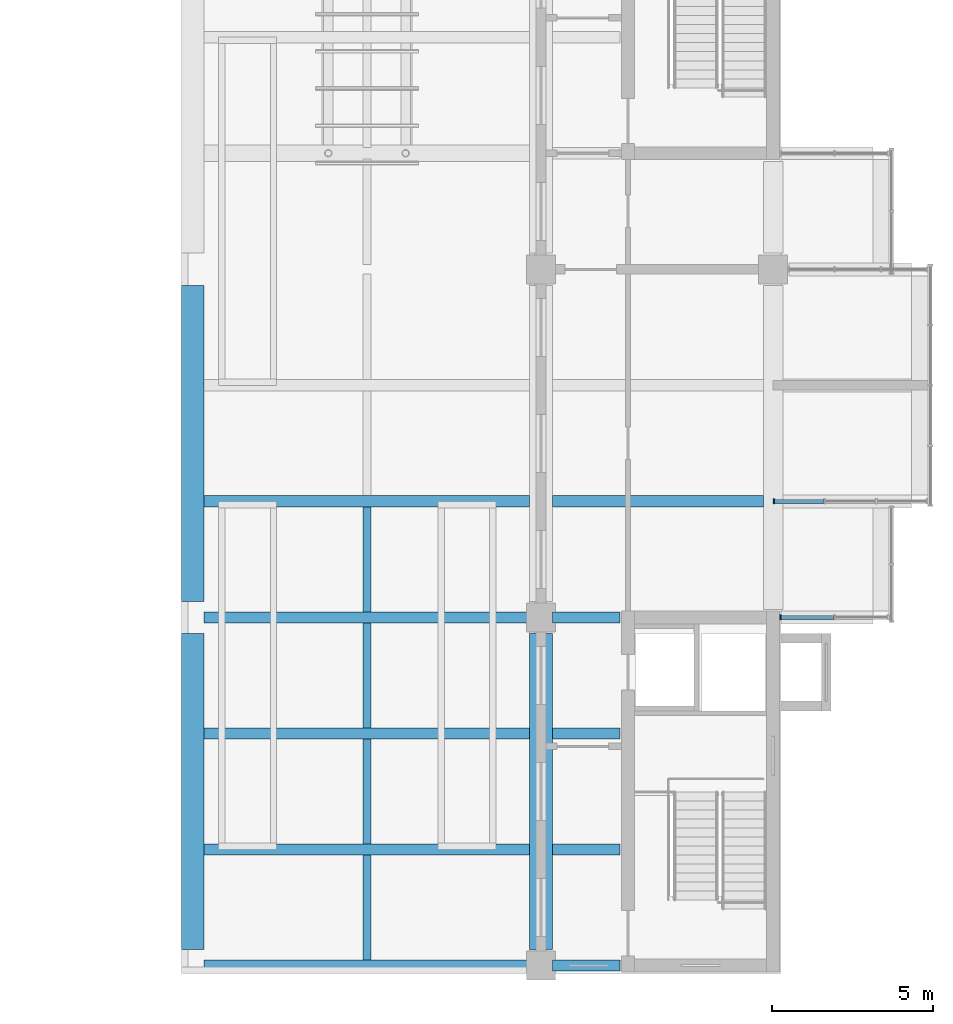
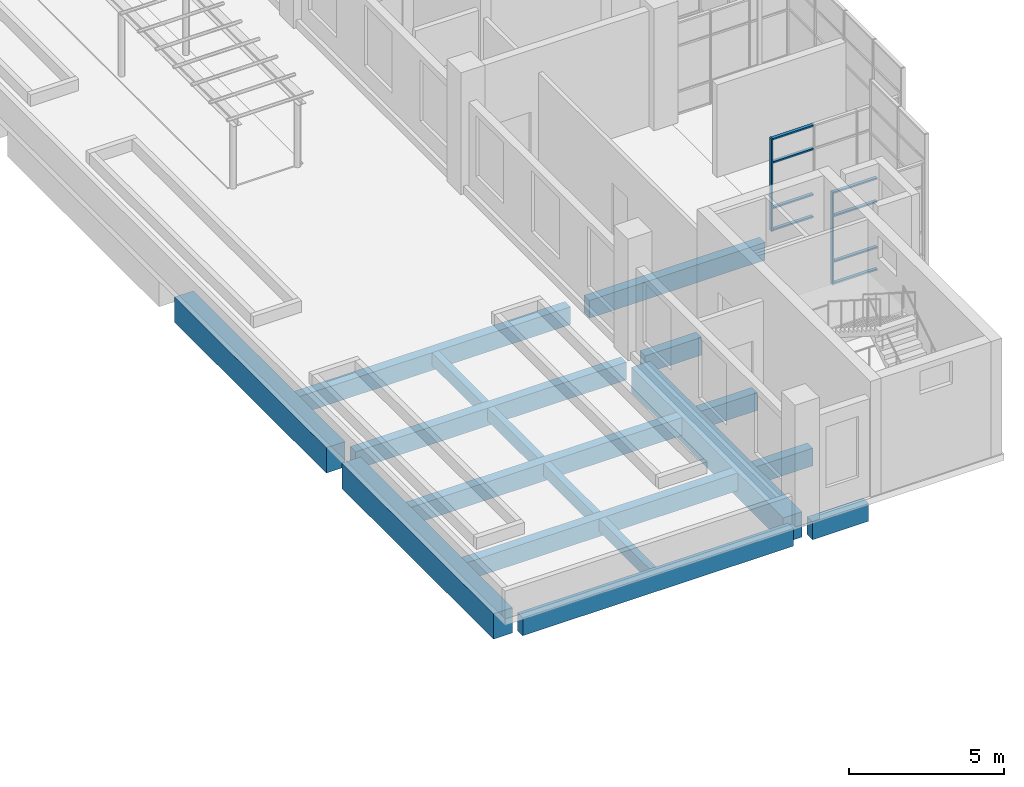
# One storey, part 9 of 32: 17 beams, 10 members, 2 elements without a shape of their own.
"""IFC4 building model written with IfcOpenShell, lengths in metres."""

import ifcopenshell
import ifcopenshell.guid

model = None  # the IFC model being written
_history = None  # IfcOwnerHistory: only IFC2X3 demands one
_inside = {}  # id of a spatial element -> (the spatial element, [elements in it])
_under = {}  # id of a project, library or spatial element -> (it, [spatial elements below it])
_declared = {}  # id of a project -> (the project, [libraries it declares])
_typed = {}  # id of a type object -> (the type object, [elements of that type])
_made_of = {}  # id of a material, layer set ... -> (it, [elements and type objects made of it])


def new_model(schema):
    """Start an empty IFC model of exactly this schema.

    Asked for "IFC4X3", IfcOpenShell would pick the latest addendum, in which some entities
    have other attributes; the version numbers below select the first issue.
    IFC2X3 requires an IfcOwnerHistory on every rooted entity: one is made here for all.
    """
    global model, _history
    if schema == "IFC4X3":
        model = ifcopenshell.file(schema_version=(4, 3, 0, 0))
    else:
        model = ifcopenshell.file(schema=schema)
    _inside.clear()
    _under.clear()
    _declared.clear()
    _typed.clear()
    _made_of.clear()
    _history = None
    if model.schema == "IFC2X3":
        org = make("IfcOrganization", Name="unknown")
        user = make(
            "IfcPersonAndOrganization",
            ThePerson=make("IfcPerson", FamilyName="unknown"),
            TheOrganization=org,
        )
        app = make(
            "IfcApplication",
            ApplicationDeveloper=org,
            Version="unknown",
            ApplicationFullName="unknown",
            ApplicationIdentifier="unknown",
        )
        _history = make(
            "IfcOwnerHistory",
            OwningUser=user,
            OwningApplication=app,
            ChangeAction="ADDED",
            CreationDate=0,
        )
    return model


def make(cls, **values):
    """One entity of the class cls with the attributes given. An attribute that is None is left unset."""
    return model.create_entity(
        cls, **{name: value for name, value in values.items() if value is not None}
    )


def rooted(cls, **values):
    """An entity with a GlobalId (a new one), such as an element, a storey or a relation."""
    return make(cls, GlobalId=ifcopenshell.guid.new(), OwnerHistory=_history, **values)


def si_unit(unit_type, name, prefix=None):
    """IfcSIUnit, for example si_unit("LENGTHUNIT", "METRE", prefix="MILLI")."""
    return make("IfcSIUnit", UnitType=unit_type, Prefix=prefix, Name=name)


def assignment(units):
    """IfcUnitAssignment: the units of a project."""
    return None if units is None else make("IfcUnitAssignment", Units=units)


def point(xyz):
    """IfcCartesianPoint."""
    return None if xyz is None else make("IfcCartesianPoint", Coordinates=xyz)


def direction(xyz):
    """IfcDirection."""
    return None if xyz is None else make("IfcDirection", DirectionRatios=xyz)


def frame(location, z_axis=None, x_axis=None):
    """IfcAxis2Placement3D, a coordinate frame: its origin and axes. An axis left out is left unset."""
    return make(
        "IfcAxis2Placement3D",
        Location=point(location),
        Axis=direction(z_axis),
        RefDirection=direction(x_axis),
    )


def frame_2d(location, x_axis=None):
    """IfcAxis2Placement2D, a coordinate frame in the plane: its origin and x axis."""
    return make(
        "IfcAxis2Placement2D", Location=point(location), RefDirection=direction(x_axis)
    )


def origin():
    """The frame at (0, 0, 0) with its axes left unset."""
    return frame((0.0, 0.0, 0.0))


def origin_2d():
    """The frame at (0, 0) in the plane with its x axis left unset."""
    return frame_2d((0.0, 0.0))


def place(relative_to, where):
    """IfcLocalPlacement: puts the frame where relative to a parent placement (None: the world)."""
    return make(
        "IfcLocalPlacement", PlacementRelTo=relative_to, RelativePlacement=where
    )


def context(
    kind, dimensions, precision=None, world=None, true_north=None, identifier=None
):
    """IfcGeometricRepresentationContext, for example the 3D "Model" context."""
    return make(
        "IfcGeometricRepresentationContext",
        ContextIdentifier=identifier,
        ContextType=kind,
        CoordinateSpaceDimension=dimensions,
        Precision=precision,
        WorldCoordinateSystem=world,
        TrueNorth=true_north,
    )


def subcontext(parent, identifier, kind, view, scale=None):
    """IfcGeometricRepresentationSubContext, for example "Body" below "Model"."""
    return make(
        "IfcGeometricRepresentationSubContext",
        ContextIdentifier=identifier,
        ContextType=kind,
        ParentContext=parent,
        TargetScale=scale,
        TargetView=view,
    )


def project(units=None, contexts=None):
    """IfcProject with its units and contexts."""
    return rooted(
        "IfcProject",
        Name="project",
        RepresentationContexts=contexts,
        UnitsInContext=assignment(units),
    )


def spatial(cls, under=None, at=None, **own):
    """A site, building, storey or space (cls), placed at a placement, below another one or the project."""
    s = rooted(cls, ObjectPlacement=at, **own)
    if under is not None:
        _under.setdefault(under.id(), (under, []))[1].append(s)
    return s


def profile(cls, at=None, kind="AREA", **sizes):
    """A parametric profile (cls). Its sizes go by their IFC names, for example OverallWidth=200.0."""
    return make(cls, ProfileType=kind, Position=at, **sizes)


def rectangle(**sizes):
    """IfcRectangleProfileDef."""
    return profile("IfcRectangleProfileDef", **sizes)


def extrude(swept, where, along, depth):
    """IfcExtrudedAreaSolid: the profile swept, set in the frame where, extruded along a direction by depth."""
    return make(
        "IfcExtrudedAreaSolid",
        SweptArea=swept,
        Position=where,
        ExtrudedDirection=direction(along),
        Depth=depth,
    )


def shape(context_of_items, identifier, shape_type, items):
    """IfcShapeRepresentation: the items that make up one representation, for example the "Body"."""
    return make(
        "IfcShapeRepresentation",
        ContextOfItems=context_of_items,
        RepresentationIdentifier=identifier,
        RepresentationType=shape_type,
        Items=items,
    )


def material(Name=None, Category=None):
    """IfcMaterial."""
    return make("IfcMaterial", Name=Name, Category=Category)


def layer(
    of_material, thickness, ventilated=None, Name=None, Category=None, Priority=None
):
    """IfcMaterialLayer: one layer of a wall or slab, of a material (None: an air gap)."""
    return make(
        "IfcMaterialLayer",
        Material=of_material,
        LayerThickness=thickness,
        IsVentilated=ventilated,
        Name=Name,
        Category=Category,
        Priority=Priority,
    )


def layer_set(layers, Name=None):
    """IfcMaterialLayerSet."""
    return make("IfcMaterialLayerSet", MaterialLayers=layers, LayerSetName=Name)


def material_profile(
    of_material, cross_section, Name=None, Category=None, Priority=None
):
    """IfcMaterialProfile: a cross section and its material."""
    return make(
        "IfcMaterialProfile",
        Name=Name,
        Material=of_material,
        Profile=cross_section,
        Priority=Priority,
        Category=Category,
    )


def profile_set(profiles, Name=None, composite=None):
    """IfcMaterialProfileSet."""
    return make(
        "IfcMaterialProfileSet",
        Name=Name,
        MaterialProfiles=profiles,
        CompositeProfile=composite,
    )


def made_of(thing, what):
    """Note that an element or type object is made of a material, layer set ...; save() writes the relation."""
    if what is not None:
        _made_of.setdefault(what.id(), (what, []))[1].append(thing)
    return thing


def type_object(cls, material=None, **own):
    """A type object (cls), such as IfcWallType, which elements share."""
    return made_of(rooted(cls, **own), material)


def element(
    cls,
    number,
    at=None,
    inside=None,
    cuts=None,
    type_object=None,
    material=None,
    context=None,
    identifier="Body",
    shape_type=None,
    held_by="IfcProductDefinitionShape",
    body=None,
    shapes=None,
    **own,
):
    """One element of the class cls, such as IfcWall. Its Tag is "e" and its number.

    at: its placement. inside: the storey or other place that contains it. cuts: it is an
    opening in that element (IfcRelVoidsElement). A single representation is given by context,
    identifier, shape_type and body (its items); several are given by shapes. held_by: the class
    of the entity that holds the representations. save() writes the other relations.
    """
    e = rooted(cls, Tag="e%d" % number, ObjectPlacement=at, **own)
    if body is not None:
        shapes = [shape(context, identifier, shape_type, body)]
    if shapes is not None:
        e.Representation = make(held_by, Representations=shapes)
    if inside is not None:
        _inside.setdefault(inside.id(), (inside, []))[1].append(e)
    if cuts is not None:
        rooted(
            "IfcRelVoidsElement", RelatingBuildingElement=cuts, RelatedOpeningElement=e
        )
    if type_object is not None:
        _typed.setdefault(type_object.id(), (type_object, []))[1].append(e)
    return made_of(e, material)


def aggregate(whole, parts):
    """IfcRelAggregates: a whole, such as a stair, and the parts it consists of."""
    return rooted("IfcRelAggregates", RelatingObject=whole, RelatedObjects=parts)


def save(model, path):
    """Write the relations noted so far, then the file.

    IfcRelAggregates (storeys below a building ...), IfcRelContainedInSpatialStructure (elements
    in a storey), IfcRelDefinesByType, IfcRelAssociatesMaterial and IfcRelDeclares: one each for
    every whole, place, type object, material and project.
    """
    for whole, parts in _under.values():
        aggregate(whole, parts)
    for where, things in _inside.values():
        rooted(
            "IfcRelContainedInSpatialStructure",
            RelatedElements=things,
            RelatingStructure=where,
        )
    for kind, things in _typed.values():
        rooted("IfcRelDefinesByType", RelatedObjects=things, RelatingType=kind)
    for what, things in _made_of.values():
        rooted("IfcRelAssociatesMaterial", RelatedObjects=things, RelatingMaterial=what)
    for by, libraries in _declared.values():
        rooted("IfcRelDeclares", RelatingContext=by, RelatedDefinitions=libraries)
    model.write(path)


model = new_model("IFC4")

# Units and contexts
model_context = context("Model", 3, precision=1e-05, world=origin(), true_north=direction((0.0, 1.0)))
body_context = subcontext(model_context, "Body", "Model", "MODEL_VIEW")
ifc_project = project(units=[si_unit("LENGTHUNIT", "METRE"), si_unit("AREAUNIT", "SQUARE_METRE"), si_unit("VOLUMEUNIT", "CUBIC_METRE"), si_unit("PLANEANGLEUNIT", "RADIAN"), si_unit("MASSUNIT", "GRAM", prefix="KILO")], contexts=[model_context])

# Site, building, storey
site_placement = place(None, origin())
site = spatial("IfcSite", under=ifc_project, at=site_placement, CompositionType="ELEMENT")
building_placement = place(site_placement, origin())
building = spatial("IfcBuilding", under=site, at=building_placement, Name="Basin Gate Institute", CompositionType="ELEMENT")
storey_placement = place(building_placement, frame((0.0, 0.0, 41.39990234375)))
storey = spatial("IfcBuildingStorey", under=building, at=storey_placement, Name="L08", CompositionType="ELEMENT", Elevation=41.39990234375)

# Beams
ifc_material_1 = material(Name="Concrete 40 MPa", Category="concrete")
ifc_material_profile_1 = material_profile(ifc_material_1, rectangle(XDim=0.35009765625, YDim=0.699951171875, at=origin_2d()), Name="Beam B1 350 x 700")
ifc_profile_set_1 = profile_set([ifc_material_profile_1], Name="Concrete 40 MPa")
beam_type_1 = type_object("IfcBeamType", Name="Beam B1 R120", PredefinedType="BEAM", material=ifc_profile_set_1)
beam_1_placement = place(storey_placement, frame((111.25, 35.10009765625, -0.599853515625), z_axis=(-1.0, 0.0, 0.0), x_axis=(0.0, -1.0, 0.0)))
element("IfcBeam", 1, at=beam_1_placement, inside=storey, type_object=beam_type_1, material=ifc_profile_set_1, Name="BEAM/L08/E/EW/01", PredefinedType="BEAM", context=body_context, shape_type="SweptSolid", body=[
    extrude(rectangle(XDim=0.35009765625, YDim=0.699951171875, at=origin_2d()), origin(), (0.0, 0.0, 1.0), 10.10009765625),
])
beam_2_placement = place(storey_placement, frame((114.050048828125, 35.10009765625, -0.599853515625), z_axis=(-1.0, 0.0, 0.0), x_axis=(0.0, -1.0, 0.0)))
element("IfcBeam", 2, at=beam_2_placement, inside=storey, type_object=beam_type_1, material=ifc_profile_set_1, Name="BEAM/L08/E/CORR/01", PredefinedType="BEAM", context=body_context, shape_type="SweptSolid", body=[
    extrude(rectangle(XDim=0.35009765625, YDim=0.699951171875, at=origin_2d()), origin(), (0.0, 0.0, 1.0), 2.10009765625),
])
beam_3_placement = place(storey_placement, frame((111.25, 38.699951171875, -0.599853515625), z_axis=(-1.0, 0.0, 0.0), x_axis=(0.0, -1.0, 0.0)))
element("IfcBeam", 3, at=beam_3_placement, inside=storey, type_object=beam_type_1, material=ifc_profile_set_1, Name="BEAM/L08/E/EW/02", PredefinedType="BEAM", context=body_context, shape_type="SweptSolid", body=[
    extrude(rectangle(XDim=0.35009765625, YDim=0.699951171875, at=origin_2d()), origin(), (0.0, 0.0, 1.0), 10.10009765625),
])
beam_4_placement = place(storey_placement, frame((114.050048828125, 38.699951171875, -0.599853515625), z_axis=(-1.0, 0.0, 0.0), x_axis=(0.0, -1.0, 0.0)))
element("IfcBeam", 4, at=beam_4_placement, inside=storey, type_object=beam_type_1, material=ifc_profile_set_1, Name="BEAM/L08/E/CORR/02", PredefinedType="BEAM", context=body_context, shape_type="SweptSolid", body=[
    extrude(rectangle(XDim=0.35009765625, YDim=0.699951171875, at=origin_2d()), origin(), (0.0, 0.0, 1.0), 2.10009765625),
])
beam_5_placement = place(storey_placement, frame((111.25, 42.300048828125, -0.599853515625), z_axis=(-1.0, 0.0, 0.0), x_axis=(0.0, -1.0, 0.0)))
element("IfcBeam", 5, at=beam_5_placement, inside=storey, type_object=beam_type_1, material=ifc_profile_set_1, Name="BEAM/L08/E/EW/03", PredefinedType="BEAM", context=body_context, shape_type="SweptSolid", body=[
    extrude(rectangle(XDim=0.35009765625, YDim=0.699951171875, at=origin_2d()), origin(), (0.0, 0.0, 1.0), 10.10009765625),
])
beam_6_placement = place(storey_placement, frame((114.050048828125, 42.300048828125, -0.599853515625), z_axis=(-1.0, 0.0, 0.0), x_axis=(0.0, -1.0, 0.0)))
element("IfcBeam", 6, at=beam_6_placement, inside=storey, type_object=beam_type_1, material=ifc_profile_set_1, Name="BEAM/L08/E/CORR/03", PredefinedType="BEAM", context=body_context, shape_type="SweptSolid", body=[
    extrude(rectangle(XDim=0.35009765625, YDim=0.699951171875, at=origin_2d()), origin(), (0.0, 0.0, 1.0), 2.10009765625),
])
beam_7_placement = place(storey_placement, frame((111.25, 45.89990234375, -0.599853515625), z_axis=(-1.0, 0.0, 0.0), x_axis=(0.0, -1.0, 0.0)))
element("IfcBeam", 7, at=beam_7_placement, inside=storey, type_object=beam_type_1, material=ifc_profile_set_1, Name="BEAM/L08/E/EW/04", PredefinedType="BEAM", context=body_context, shape_type="SweptSolid", body=[
    extrude(rectangle(XDim=0.35009765625, YDim=0.699951171875, at=origin_2d()), origin(), (0.0, 0.0, 1.0), 10.10009765625),
])
beam_8_placement = place(storey_placement, frame((114.050048828125, 45.89990234375, -0.599853515625), z_axis=(-1.0, 0.0, 0.0), x_axis=(0.0, -1.0, 0.0)))
element("IfcBeam", 8, at=beam_8_placement, inside=storey, type_object=beam_type_1, material=ifc_profile_set_1, Name="BEAM/L08/E/CORR/04", PredefinedType="BEAM", context=body_context, shape_type="SweptSolid", body=[
    extrude(rectangle(XDim=0.35009765625, YDim=0.699951171875, at=origin_2d()), origin(), (0.0, 0.0, 1.0), 2.10009765625),
])
beam_9_placement = place(storey_placement, frame((111.25, 49.5, -0.599853515625), z_axis=(-1.0, 0.0, 0.0), x_axis=(0.0, -1.0, 0.0)))
element("IfcBeam", 9, at=beam_9_placement, inside=storey, type_object=beam_type_1, material=ifc_profile_set_1, Name="BEAM/L08/E/EW/05", PredefinedType="BEAM", context=body_context, shape_type="SweptSolid", body=[
    extrude(rectangle(XDim=0.35009765625, YDim=0.699951171875, at=origin_2d()), origin(), (0.0, 0.0, 1.0), 10.10009765625),
])
beam_10_placement = place(storey_placement, frame((118.5, 49.5, -0.599853515625), z_axis=(-1.0, 0.0, 0.0), x_axis=(0.0, -1.0, 0.0)))
element("IfcBeam", 10, at=beam_10_placement, inside=storey, type_object=beam_type_1, material=ifc_profile_set_1, Name="BEAM/L08/E/OUT/05", PredefinedType="BEAM", context=body_context, shape_type="SweptSolid", body=[
    extrude(rectangle(XDim=0.35009765625, YDim=0.699951171875, at=origin_2d()), origin(), (0.0, 0.0, 1.0), 6.550048828125),
])
ifc_material_2 = material(Name="Concrete 50 MPa", Category="concrete")
ifc_material_profile_2 = material_profile(ifc_material_2, rectangle(XDim=0.699951171875, YDim=1.0, at=origin_2d()), Name="Girder G1 700 x 1000")
ifc_profile_set_2 = profile_set([ifc_material_profile_2], Name="Concrete 50 MPa")
beam_type_2 = type_object("IfcBeamType", Name="Girder G1 R120", PredefinedType="BEAM", material=ifc_profile_set_2)
for number, where, z_axis, x_axis, name in (
    (11, (111.60009765625, 35.60009765625, -0.75), (0.0, 1.0, 0.0), (-1.0, 0.0, 0.0), "GIR/L08/E8/1"),
    (12, (100.800048828125, 35.60009765625, -0.75), (0.0, 1.0, 0.0), (-1.0, 0.0, 0.0), "GIR/L08/E7/1"),
):
    element("IfcBeam", number, at=place(storey_placement, frame(where, z_axis=z_axis, x_axis=x_axis)), inside=storey, type_object=beam_type_2, material=ifc_profile_set_2, Name=name, PredefinedType="BEAM", context=body_context, shape_type="SweptSolid", body=[
        extrude(rectangle(XDim=0.699951171875, YDim=1.0, at=origin_2d()), origin(), (0.0, 0.0, 1.0), 9.7998046875),
    ])
beam_11_placement = place(storey_placement, frame((100.800048828125, 46.39990234375, -0.75), z_axis=(0.0, 1.0, 0.0), x_axis=(-1.0, 0.0, 0.0)))
element("IfcBeam", 13, at=beam_11_placement, inside=storey, type_object=beam_type_2, material=ifc_profile_set_2, Name="GIR/L08/E7/2", PredefinedType="BEAM", context=body_context, shape_type="SweptSolid", body=[
    extrude(rectangle(XDim=0.699951171875, YDim=1.0, at=origin_2d()), origin(), (0.0, 0.0, 1.0), 9.800048828125),
])

# Curtain wall, member
ifc_material_3 = material(Name="Aluminium-framed glazing", Category="aluminium")
ifc_layer = layer(ifc_material_3, 0.14990234375)
ifc_layer_set = layer_set([ifc_layer], Name="Capsule front curtain wall CW1")
curtain_wall_type = type_object("IfcCurtainWallType", Name="Capsule front curtain wall CW1", PredefinedType="NOTDEFINED", material=ifc_layer_set)
curtain_wall_1_placement = place(storey_placement, origin())
curtain_wall_1 = element("IfcCurtainWall", 14, at=curtain_wall_1_placement, inside=storey, type_object=curtain_wall_type, material=ifc_layer_set, Name="Capsule front curtain wall E wing capsule end L08 line 4", PredefinedType="NOTDEFINED")
ifc_material_4 = material(Name="Aluminium", Category="aluminium")
ifc_material_profile_3 = material_profile(ifc_material_4, rectangle(XDim=0.14990234375, YDim=0.050048828125, at=origin_2d()), Name="Mullion MU1 150 x 50")
ifc_profile_set_3 = profile_set([ifc_material_profile_3], Name="Aluminium")
member_type_1 = type_object("IfcMemberType", Name="Mullion MU1", PredefinedType="MULLION", material=ifc_profile_set_3)
member_1_placement = place(storey_placement, frame((119.02490234375, 45.89990234375, 0.0), z_axis=(0.0, 0.0, 1.0), x_axis=(0.0, -1.0, 0.0)))
member_1 = element("IfcMember", 15, at=member_1_placement, type_object=member_type_1, material=ifc_profile_set_3, Name="CW1 mullion 3", PredefinedType="MULLION", context=body_context, shape_type="SweptSolid", body=[
    extrude(rectangle(XDim=0.14990234375, YDim=0.050048828125, at=origin_2d()), origin(), (0.0, 0.0, 1.0), 3.650146484375),
])

curtain_wall_2_placement = place(storey_placement, origin())
curtain_wall_2 = element("IfcCurtainWall", 16, at=curtain_wall_2_placement, inside=storey, type_object=curtain_wall_type, material=ifc_layer_set, Name="Capsule front curtain wall E wing capsule end L08 line 5", PredefinedType="NOTDEFINED")
member_2_placement = place(storey_placement, frame((118.824951171875, 49.5, 0.0), z_axis=(0.0, 0.0, 1.0), x_axis=(0.0, -1.0, 0.0)))
member_2 = element("IfcMember", 17, at=member_2_placement, type_object=member_type_1, material=ifc_profile_set_3, Name="CW1 mullion 4", PredefinedType="MULLION", context=body_context, shape_type="SweptSolid", body=[
    extrude(rectangle(XDim=0.14990234375, YDim=0.050048828125, at=origin_2d()), origin(), (0.0, 0.0, 1.0), 3.650146484375),
])

# Beams
ifc_material_5 = material(Name="Concrete 40 MPa", Category="concrete")
ifc_material_profile_4 = material_profile(ifc_material_5, rectangle(XDim=0.25, YDim=0.5, at=origin_2d()), Name="Rib R1 250 x 500")
ifc_profile_set_4 = profile_set([ifc_material_profile_4], Name="Concrete 40 MPa")
beam_type_3 = type_object("IfcBeamType", Name="Rib R1 R120", PredefinedType="JOIST", material=ifc_profile_set_4)
for number, where, z_axis, x_axis, name in (
    (18, (106.199951171875, 35.27490234375, -0.5), (0.0, 1.0, 0.0), (-1.0, 0.0, 0.0), "BEAM/L08/E/RIB/01"),
    (19, (106.199951171875, 38.875, -0.5), (0.0, 1.0, 0.0), (-1.0, 0.0, 0.0), "BEAM/L08/E/RIB/02"),
    (20, (106.199951171875, 42.47509765625, -0.5), (0.0, 1.0, 0.0), (-1.0, 0.0, 0.0), "BEAM/L08/E/RIB/03"),
    (21, (106.199951171875, 46.074951171875, -0.5), (0.0, 1.0, 0.0), (-1.0, 0.0, 0.0), "BEAM/L08/E/RIB/04"),
):
    element("IfcBeam", number, at=place(storey_placement, frame(where, z_axis=z_axis, x_axis=x_axis)), inside=storey, type_object=beam_type_3, material=ifc_profile_set_4, Name=name, PredefinedType="JOIST", context=body_context, shape_type="SweptSolid", body=[
        extrude(rectangle(XDim=0.25, YDim=0.5, at=origin_2d()), origin(), (0.0, 0.0, 1.0), 3.25),
    ])

# Member
ifc_material_6 = material(Name="Aluminium", Category="aluminium")
ifc_material_profile_5 = material_profile(ifc_material_6, rectangle(XDim=0.1201171875, YDim=0.06005859375, at=origin_2d()), Name="Transom TR1 120 x 60")
ifc_profile_set_5 = profile_set([ifc_material_profile_5], Name="Aluminium")
member_type_2 = type_object("IfcMemberType", Name="Transom TR1", PredefinedType="USERDEFINED", material=ifc_profile_set_5)
member_3_placement = place(storey_placement, frame((120.675048828125, 45.89990234375, 0.030029296875), z_axis=(-1.0, 0.0, 0.0), x_axis=(0.0, -1.0, 0.0)))
member_3 = element("IfcMember", 22, at=member_3_placement, type_object=member_type_2, material=ifc_profile_set_5, Name="CW1 transom 2.1", ObjectType="TRANSOM", PredefinedType="USERDEFINED", context=body_context, shape_type="SweptSolid", body=[
    extrude(rectangle(XDim=0.1201171875, YDim=0.06005859375, at=origin_2d()), origin(), (0.0, 0.0, 1.0), 1.625),
])

member_4_placement = place(storey_placement, frame((120.675048828125, 45.89990234375, 0.900146484375), z_axis=(-1.0, 0.0, 0.0), x_axis=(0.0, -1.0, 0.0)))
member_4 = element("IfcMember", 23, at=member_4_placement, type_object=member_type_2, material=ifc_profile_set_5, Name="CW1 transom 2.2", ObjectType="TRANSOM", PredefinedType="USERDEFINED", context=body_context, shape_type="SweptSolid", body=[
    extrude(rectangle(XDim=0.1201171875, YDim=0.06005859375, at=origin_2d()), origin(), (0.0, 0.0, 1.0), 1.625),
])

member_5_placement = place(storey_placement, frame((120.675048828125, 45.89990234375, 2.7001953125), z_axis=(-1.0, 0.0, 0.0), x_axis=(0.0, -1.0, 0.0)))
member_5 = element("IfcMember", 24, at=member_5_placement, type_object=member_type_2, material=ifc_profile_set_5, Name="CW1 transom 2.3", ObjectType="TRANSOM", PredefinedType="USERDEFINED", context=body_context, shape_type="SweptSolid", body=[
    extrude(rectangle(XDim=0.1201171875, YDim=0.06005859375, at=origin_2d()), origin(), (0.0, 0.0, 1.0), 1.625),
])

member_6_placement = place(storey_placement, frame((120.675048828125, 45.89990234375, 3.6201171875), z_axis=(-1.0, 0.0, 0.0), x_axis=(0.0, -1.0, 0.0)))
member_6 = element("IfcMember", 25, at=member_6_placement, type_object=member_type_2, material=ifc_profile_set_5, Name="CW1 transom 2.4", ObjectType="TRANSOM", PredefinedType="USERDEFINED", context=body_context, shape_type="SweptSolid", body=[
    extrude(rectangle(XDim=0.1201171875, YDim=0.06005859375, at=origin_2d()), origin(), (0.0, 0.0, 1.0), 1.625),
])

aggregate(curtain_wall_1, [member_1, member_3, member_4, member_5, member_6])

member_7_placement = place(storey_placement, frame((120.375, 49.5, 0.030029296875), z_axis=(-1.0, 0.0, 0.0), x_axis=(0.0, -1.0, 0.0)))
member_7 = element("IfcMember", 26, at=member_7_placement, type_object=member_type_2, material=ifc_profile_set_5, Name="CW1 transom 3.1", ObjectType="TRANSOM", PredefinedType="USERDEFINED", context=body_context, shape_type="SweptSolid", body=[
    extrude(rectangle(XDim=0.1201171875, YDim=0.06005859375, at=origin_2d()), origin(), (0.0, 0.0, 1.0), 1.52490234375),
])

member_8_placement = place(storey_placement, frame((120.375, 49.5, 0.900146484375), z_axis=(-1.0, 0.0, 0.0), x_axis=(0.0, -1.0, 0.0)))
member_8 = element("IfcMember", 27, at=member_8_placement, type_object=member_type_2, material=ifc_profile_set_5, Name="CW1 transom 3.2", ObjectType="TRANSOM", PredefinedType="USERDEFINED", context=body_context, shape_type="SweptSolid", body=[
    extrude(rectangle(XDim=0.1201171875, YDim=0.06005859375, at=origin_2d()), origin(), (0.0, 0.0, 1.0), 1.52490234375),
])

member_9_placement = place(storey_placement, frame((120.375, 49.5, 2.7001953125), z_axis=(-1.0, 0.0, 0.0), x_axis=(0.0, -1.0, 0.0)))
member_9 = element("IfcMember", 28, at=member_9_placement, type_object=member_type_2, material=ifc_profile_set_5, Name="CW1 transom 3.3", ObjectType="TRANSOM", PredefinedType="USERDEFINED", context=body_context, shape_type="SweptSolid", body=[
    extrude(rectangle(XDim=0.1201171875, YDim=0.06005859375, at=origin_2d()), origin(), (0.0, 0.0, 1.0), 1.52490234375),
])

member_10_placement = place(storey_placement, frame((120.375, 49.5, 3.6201171875), z_axis=(-1.0, 0.0, 0.0), x_axis=(0.0, -1.0, 0.0)))
member_10 = element("IfcMember", 29, at=member_10_placement, type_object=member_type_2, material=ifc_profile_set_5, Name="CW1 transom 3.4", ObjectType="TRANSOM", PredefinedType="USERDEFINED", context=body_context, shape_type="SweptSolid", body=[
    extrude(rectangle(XDim=0.1201171875, YDim=0.06005859375, at=origin_2d()), origin(), (0.0, 0.0, 1.0), 1.52490234375),
])

aggregate(curtain_wall_2, [member_2, member_7, member_8, member_9, member_10])

save(model, "model.ifc")
